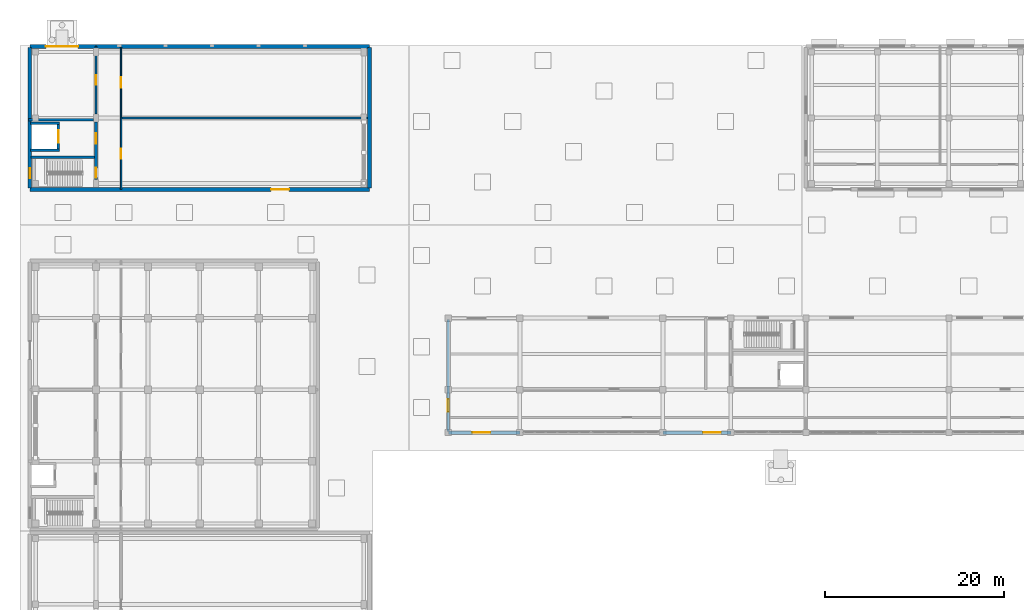
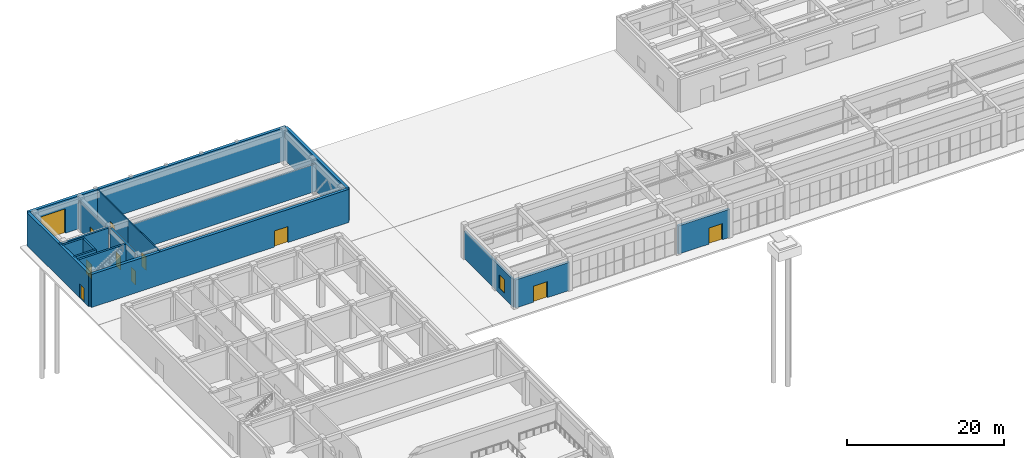
# One storey, part 30 of 46: 17 walls, 11 doors, 1 window, 12 openings.
"""IFC4 building model written with IfcOpenShell, lengths in metres."""

from ifc_helpers import new_model, si_unit, direction, frame, frame_2d, origin, place, context, subcontext, project, spatial, rectangle, extrude, material, layer, layer_set, type_object, element, fill, save


model = new_model("IFC4")

# Units and contexts
model_context = context("Model", 3, precision=1e-05, world=origin(), true_north=direction((0.0, 1.0)))
body_context = subcontext(model_context, "Body", "Model", "MODEL_VIEW")
ifc_project = project(units=[si_unit("LENGTHUNIT", "METRE"), si_unit("AREAUNIT", "SQUARE_METRE"), si_unit("VOLUMEUNIT", "CUBIC_METRE"), si_unit("PLANEANGLEUNIT", "RADIAN"), si_unit("MASSUNIT", "GRAM", prefix="KILO")], contexts=[model_context])

# Site, building, storey
site_placement = place(None, origin())
site = spatial("IfcSite", under=ifc_project, at=site_placement, CompositionType="ELEMENT")
building_placement = place(site_placement, origin())
building = spatial("IfcBuilding", under=site, at=building_placement, Name="Cinchona Park Media Centre", CompositionType="ELEMENT")
storey_placement = place(building_placement, origin())
storey = spatial("IfcBuildingStorey", under=building, at=storey_placement, Name="L00", CompositionType="ELEMENT", Elevation=0.0)

# Wall, opening, door
ifc_material_1 = material(Name="Precast concrete C40/50", Category="concrete")
ifc_layer_1 = layer(ifc_material_1, 0.425048828125)
ifc_layer_set_1 = layer_set([ifc_layer_1], Name="Precast concrete C40/50")
wall_type_1 = type_object("IfcWallType", Name="WALL-W-AC01", PredefinedType="SOLIDWALL", material=ifc_layer_set_1)
wall_1_placement = place(storey_placement, frame((8.0, 118.0, 0.0), z_axis=(0.0, 0.0, 1.0), x_axis=(1.0, 0.0, 0.0)))
wall_1 = element("IfcWall", 1, at=wall_1_placement, inside=storey, type_object=wall_type_1, Name="Exterior Wall W-AC01 V2 L00", PredefinedType="SOLIDWALL", context=body_context, shape_type="SweptSolid", body=[
    extrude(rectangle(XDim=38.0, YDim=0.425048828125, at=frame_2d((19.0, 0.0))), origin(), (0.0, 0.0, 1.0), 5.14990234375),
])
opening_1_placement = place(wall_1_placement, frame((1.800048828125, 0.0, 0.0)))
opening_1 = element("IfcOpeningElement", 2, at=opening_1_placement, cuts=wall_1, Name="Opening D022", PredefinedType="OPENING", context=body_context, shape_type="SweptSolid", body=[
    extrude(rectangle(XDim=3.60009765625, YDim=3.800048828125, at=frame_2d((1.800048828125, 1.89990234375))), frame((0.0, 0.222412109375, 0.0), z_axis=(0.0, -1.0, 0.0), x_axis=(1.0, 0.0, 0.0)), (0.0, 0.0, 1.0), 0.445068359375),
])
ifc_material_2 = material(Name="Insulated Acoustic Steel Roller Shutter Gate", Category="steel")
door_type_1 = type_object("IfcDoorType", Name="DOOR-DT-VG1", OperationType="NOTDEFINED", PredefinedType="GATE", material=ifc_material_2)
door_1_placement = place(opening_1_placement, origin())
door_1 = element("IfcDoor", 3, at=door_1_placement, inside=storey, type_object=door_type_1, Name="Exterior Door D022", OperationType="ROLLINGUP", OverallHeight=3.800048828125, OverallWidth=3.60009765625, PredefinedType="GATE", context=body_context, shape_type="SweptSolid", body=[
    extrude(rectangle(XDim=3.60009765625, YDim=3.800048828125, at=frame_2d((1.800048828125, 1.89990234375))), frame((0.0, 0.02490234375, 0.0), z_axis=(0.0, -1.0, 0.0), x_axis=(1.0, 0.0, 0.0)), (0.0, 0.0, 1.0), 0.050048828125),
])
fill(opening_1, door_1)

# Wall
wall_2_placement = place(storey_placement, frame((46.0, 117.860107421875, 0.0), z_axis=(0.0, 0.0, 1.0), x_axis=(0.0, -1.0, 0.0)))
element("IfcWall", 4, at=wall_2_placement, inside=storey, type_object=wall_type_1, Name="Exterior Wall W-AC01 V2 L00", PredefinedType="SOLIDWALL", context=body_context, shape_type="SweptSolid", body=[
    extrude(rectangle(XDim=15.72021484375, YDim=0.425048828125, at=frame_2d((7.860107421875, 0.0))), origin(), (0.0, 0.0, 1.0), 5.14990234375),
])

# Wall, opening, door
wall_3_placement = place(storey_placement, frame((46.0, 102.0, 0.0), z_axis=(0.0, 0.0, 1.0), x_axis=(-1.0, 0.0, 0.0)))
wall_3 = element("IfcWall", 5, at=wall_3_placement, inside=storey, type_object=wall_type_1, Name="Exterior Wall W-AC01 V2 L00", PredefinedType="SOLIDWALL", context=body_context, shape_type="SweptSolid", body=[
    extrude(rectangle(XDim=38.0, YDim=0.425048828125, at=frame_2d((19.0, 0.0))), origin(), (0.0, 0.0, 1.0), 5.14990234375),
])
opening_2_placement = place(wall_3_placement, frame((9.0, 0.0, 0.0)))
opening_2 = element("IfcOpeningElement", 6, at=opening_2_placement, cuts=wall_3, Name="Opening D021", PredefinedType="OPENING", context=body_context, shape_type="SweptSolid", body=[
    extrude(rectangle(XDim=2.0, YDim=2.5, at=frame_2d((1.0, 1.25))), frame((0.0, 0.222412109375, 0.0), z_axis=(0.0, -1.0, 0.0), x_axis=(1.0, 0.0, 0.0)), (0.0, 0.0, 1.0), 0.445068359375),
])
ifc_material_3 = material(Name="Insulated Steel and Laminated Glass Door", Category="steel")
door_type_2 = type_object("IfcDoorType", Name="DOOR-DT-EX2", OperationType="NOTDEFINED", PredefinedType="DOOR", material=ifc_material_3)
door_2_placement = place(opening_2_placement, origin())
door_2 = element("IfcDoor", 7, at=door_2_placement, inside=storey, type_object=door_type_2, Name="Exterior Door D021", OperationType="DOUBLE_SWING_LEFT", OverallHeight=2.5, OverallWidth=2.0, PredefinedType="DOOR", context=body_context, shape_type="SweptSolid", body=[
    extrude(rectangle(XDim=2.0, YDim=2.5, at=frame_2d((1.0, 1.25))), frame((0.0, 0.02490234375, 0.0), z_axis=(0.0, -1.0, 0.0), x_axis=(1.0, 0.0, 0.0)), (0.0, 0.0, 1.0), 0.050048828125),
])
fill(opening_2, door_2)

wall_4_placement = place(storey_placement, frame((8.0, 102.139892578125, 0.0), z_axis=(0.0, 0.0, 1.0), x_axis=(0.0, 1.0, 0.0)))
wall_4 = element("IfcWall", 8, at=wall_4_placement, inside=storey, type_object=wall_type_1, Name="Exterior Wall W-AC01 V2 L00", PredefinedType="SOLIDWALL", context=body_context, shape_type="SweptSolid", body=[
    extrude(rectangle(XDim=15.72021484375, YDim=0.425048828125, at=frame_2d((7.860107421875, 0.0))), origin(), (0.0, 0.0, 1.0), 5.14990234375),
])
opening_3_placement = place(wall_4_placement, frame((1.10009765625, 0.0, 0.0)))
opening_3 = element("IfcOpeningElement", 9, at=opening_3_placement, cuts=wall_4, Name="Opening D004", PredefinedType="OPENING", context=body_context, shape_type="SweptSolid", body=[
    extrude(rectangle(XDim=1.14990234375, YDim=2.199951171875, at=frame_2d((0.574951171875, 1.10009765625))), frame((0.0, 0.222412109375, 0.0), z_axis=(0.0, -1.0, 0.0), x_axis=(1.0, 0.0, 0.0)), (0.0, 0.0, 1.0), 0.445068359375),
])
ifc_material_4 = material(Name="Insulated Steel and Laminated Glass Door", Category="steel")
door_type_3 = type_object("IfcDoorType", Name="DOOR-DT-EX3", OperationType="NOTDEFINED", PredefinedType="DOOR", material=ifc_material_4)
door_3_placement = place(opening_3_placement, origin())
door_3 = element("IfcDoor", 10, at=door_3_placement, inside=storey, type_object=door_type_3, Name="Exterior Door D004", OperationType="SINGLE_SWING_RIGHT", OverallHeight=2.199951171875, OverallWidth=1.14990234375, PredefinedType="DOOR", context=body_context, shape_type="SweptSolid", body=[
    extrude(rectangle(XDim=1.14990234375, YDim=2.199951171875, at=frame_2d((0.574951171875, 1.10009765625))), frame((0.0, 0.02490234375, 0.0), z_axis=(0.0, -1.0, 0.0), x_axis=(1.0, 0.0, 0.0)), (0.0, 0.0, 1.0), 0.050048828125),
])
fill(opening_3, door_3)

# Walls
ifc_material_5 = material(Name="Acoustic Double-Stud Gypsum Partition", Category="gypsum")
ifc_layer_2 = layer(ifc_material_5, 0.239990234375)
ifc_layer_set_2 = layer_set([ifc_layer_2], Name="Acoustic Double-Stud Gypsum Partition")
wall_type_2 = type_object("IfcWallType", Name="WALL-W-AC240", PredefinedType="PARTITIONING", material=ifc_layer_set_2)
wall_5_placement = place(storey_placement, frame((18.199951171875, 110.0, 0.0), z_axis=(0.0, 0.0, 1.0), x_axis=(1.0, 0.0, 0.0)))
element("IfcWall", 11, at=wall_5_placement, inside=storey, type_object=wall_type_2, Name="Interior Wall W-AC240 L00", PredefinedType="PARTITIONING", context=body_context, shape_type="SweptSolid", body=[
    extrude(rectangle(XDim=27.800048828125, YDim=0.239990234375, at=frame_2d((13.89990234375, 0.0))), origin(), (0.0, 0.0, 1.0), 4.300048828125),
])
ifc_material_6 = material(Name="Concrete C40/50", Category="concrete")
ifc_layer_3 = layer(ifc_material_6, 0.300048828125)
ifc_layer_set_3 = layer_set([ifc_layer_3], Name="Concrete C40/50")
wall_type_3 = type_object("IfcWallType", Name="WALL-W-CR300", PredefinedType="SHEAR", material=ifc_layer_set_3)
wall_6_placement = place(storey_placement, frame((7.85009765625, 109.800048828125, 0.0), z_axis=(0.0, 0.0, 1.0), x_axis=(1.0, 0.0, 0.0)))
element("IfcWall", 12, at=wall_6_placement, inside=storey, type_object=wall_type_3, Name="Core Shear Wall W-CR300 L00", PredefinedType="SHEAR", context=body_context, shape_type="SweptSolid", body=[
    extrude(rectangle(XDim=7.247802734375, YDim=0.300048828125, at=frame_2d((3.6240234375, 0.0))), origin(), (0.0, 0.0, 1.0), 5.14990234375),
])

# Wall, openings, doors
wall_7_placement = place(storey_placement, frame((15.39990234375, 103.092041015625, 0.0), z_axis=(0.0, 0.0, 1.0), x_axis=(0.0, 1.0, 0.0)))
wall_7 = element("IfcWall", 13, at=wall_7_placement, inside=storey, type_object=wall_type_3, Name="Core Shear Wall W-CR300 L00", PredefinedType="SHEAR", context=body_context, shape_type="SweptSolid", body=[
    extrude(rectangle(XDim=6.4560546875, YDim=0.300048828125, at=frame_2d((3.22802734375, 0.0))), origin(), (0.0, 0.0, 1.0), 5.14990234375),
])
opening_4_placement = place(wall_7_placement, frame((0.219970703125, 0.0, 0.0)))
opening_4 = element("IfcOpeningElement", 14, at=opening_4_placement, cuts=wall_7, Name="Opening D050", PredefinedType="OPENING", context=body_context, shape_type="SweptSolid", body=[
    extrude(rectangle(XDim=1.10009765625, YDim=2.14990234375, at=frame_2d((0.550048828125, 1.074951171875))), frame((0.0, 0.159912109375, 0.0), z_axis=(0.0, -1.0, 0.0), x_axis=(1.0, 0.0, 0.0)), (0.0, 0.0, 1.0), 0.320068359375),
])
opening_5_placement = place(wall_7_placement, frame((4.032958984375, 0.0, 0.0)))
opening_5 = element("IfcOpeningElement", 15, at=opening_5_placement, cuts=wall_7, Name="Opening D051", PredefinedType="OPENING", context=body_context, shape_type="SweptSolid", body=[
    extrude(rectangle(XDim=1.14990234375, YDim=2.199951171875, at=frame_2d((0.574951171875, 1.10009765625))), frame((0.0, 0.159912109375, 0.0), z_axis=(0.0, -1.0, 0.0), x_axis=(1.0, 0.0, 0.0)), (0.0, 0.0, 1.0), 0.320068359375),
])
ifc_material_7 = material(Name="Insulated Fire-Rated Steel Door", Category="steel")
door_type_4 = type_object("IfcDoorType", Name="DOOR-DT-FF", OperationType="NOTDEFINED", PredefinedType="DOOR", material=ifc_material_7)
door_4_placement = place(opening_5_placement, origin())
door_4 = element("IfcDoor", 16, at=door_4_placement, inside=storey, type_object=door_type_4, Name="Interior Door D051", OperationType="SINGLE_SWING_LEFT", OverallHeight=2.199951171875, OverallWidth=1.14990234375, PredefinedType="DOOR", context=body_context, shape_type="SweptSolid", body=[
    extrude(rectangle(XDim=1.14990234375, YDim=2.199951171875, at=frame_2d((0.574951171875, 1.10009765625))), frame((0.0, 0.02490234375, 0.0), z_axis=(0.0, -1.0, 0.0), x_axis=(1.0, 0.0, 0.0)), (0.0, 0.0, 1.0), 0.050048828125),
])
fill(opening_5, door_4)
ifc_material_8 = material(Name="Insulated Fire-Rated Steel Door", Category="steel")
door_type_5 = type_object("IfcDoorType", Name="DOOR-DT-ST", OperationType="NOTDEFINED", PredefinedType="DOOR", material=ifc_material_8)
door_5_placement = place(opening_4_placement, origin())
door_5 = element("IfcDoor", 17, at=door_5_placement, inside=storey, type_object=door_type_5, Name="Interior Door D050", OperationType="SINGLE_SWING_RIGHT", OverallHeight=2.14990234375, OverallWidth=1.10009765625, PredefinedType="DOOR", context=body_context, shape_type="SweptSolid", body=[
    extrude(rectangle(XDim=1.10009765625, YDim=2.14990234375, at=frame_2d((0.550048828125, 1.074951171875))), frame((0.0, 0.02490234375, 0.0), z_axis=(0.0, -1.0, 0.0), x_axis=(1.0, 0.0, 0.0)), (0.0, 0.0, 1.0), 0.050048828125),
])
fill(opening_4, door_5)

# Wall
wall_8_placement = place(storey_placement, frame((8.14990234375, 105.60009765625, 0.0), z_axis=(0.0, 0.0, 1.0), x_axis=(1.0, 0.0, 0.0)))
element("IfcWall", 18, at=wall_8_placement, inside=storey, type_object=wall_type_3, Name="Core Shear Wall W-CR300 L00", PredefinedType="SHEAR", context=body_context, shape_type="SweptSolid", body=[
    extrude(rectangle(XDim=7.10009765625, YDim=0.300048828125, at=frame_2d((3.550048828125, 0.0))), origin(), (0.0, 0.0, 1.0), 5.14990234375),
])

# Wall, opening, door
ifc_material_9 = material(Name="Precast concrete C40/50", Category="concrete")
ifc_layer_4 = layer(ifc_material_9, 0.3798828125)
ifc_layer_set_4 = layer_set([ifc_layer_4], Name="Precast concrete C40/50")
wall_type_4 = type_object("IfcWallType", Name="WALL-W-EX01", PredefinedType="SOLIDWALL", material=ifc_layer_set_4)
wall_9_placement = place(storey_placement, frame((62.800048828125, 74.800048828125, 0.0), z_axis=(0.0, 0.0, 1.0), x_axis=(-1.0, 0.0, 0.0)))
wall_9 = element("IfcWall", 19, at=wall_9_placement, inside=storey, type_object=wall_type_4, Name="Entrance Frame Wall W-EX01 V5 L00", PredefinedType="SOLIDWALL", context=body_context, shape_type="SweptSolid", body=[
    extrude(rectangle(XDim=8.0, YDim=0.3798828125, at=frame_2d((4.0, 0.0))), origin(), (0.0, 0.0, 1.0), 4.389892578125),
])
opening_6_placement = place(wall_9_placement, frame((3.300048828125, 0.0, 0.0)))
opening_6 = element("IfcOpeningElement", 20, at=opening_6_placement, cuts=wall_9, Name="Opening D013", PredefinedType="OPENING", context=body_context, shape_type="SweptSolid", body=[
    extrude(rectangle(XDim=2.0, YDim=2.5, at=frame_2d((1.0, 1.25))), frame((0.0, 0.199951171875, 0.0), z_axis=(0.0, -1.0, 0.0), x_axis=(1.0, 0.0, 0.0)), (0.0, 0.0, 1.0), 0.39990234375),
])
door_6_placement = place(opening_6_placement, origin())
door_6 = element("IfcDoor", 21, at=door_6_placement, inside=storey, type_object=door_type_2, Name="Exterior Door D013", OperationType="DOUBLE_SWING_LEFT", OverallHeight=2.5, OverallWidth=2.0, PredefinedType="DOOR", context=body_context, shape_type="SweptSolid", body=[
    extrude(rectangle(XDim=2.0, YDim=2.5, at=frame_2d((1.0, 1.25))), frame((0.0, 0.02490234375, 0.0), z_axis=(0.0, -1.0, 0.0), x_axis=(1.0, 0.0, 0.0)), (0.0, 0.0, 1.0), 0.050048828125),
])
fill(opening_6, door_6)

wall_10_placement = place(storey_placement, frame((86.39990234375, 74.800048828125, 0.0), z_axis=(0.0, 0.0, 1.0), x_axis=(-1.0, 0.0, 0.0)))
wall_10 = element("IfcWall", 22, at=wall_10_placement, inside=storey, type_object=wall_type_4, Name="Entrance Frame Wall W-EX01 V5 L00", PredefinedType="SOLIDWALL", context=body_context, shape_type="SweptSolid", body=[
    extrude(rectangle(XDim=7.599853515625, YDim=0.3798828125, at=frame_2d((3.7998046875, 0.0))), origin(), (0.0, 0.0, 1.0), 4.389892578125),
])
opening_7_placement = place(wall_10_placement, frame((1.10009765625, 0.0, 0.0)))
opening_7 = element("IfcOpeningElement", 23, at=opening_7_placement, cuts=wall_10, Name="Opening D014", PredefinedType="OPENING", context=body_context, shape_type="SweptSolid", body=[
    extrude(rectangle(XDim=2.0, YDim=2.5, at=frame_2d((1.0, 1.25))), frame((0.0, 0.199951171875, 0.0), z_axis=(0.0, -1.0, 0.0), x_axis=(1.0, 0.0, 0.0)), (0.0, 0.0, 1.0), 0.39990234375),
])
door_7_placement = place(opening_7_placement, origin())
door_7 = element("IfcDoor", 24, at=door_7_placement, inside=storey, type_object=door_type_2, Name="Exterior Door D014", OperationType="DOUBLE_SWING_LEFT", OverallHeight=2.5, OverallWidth=2.0, PredefinedType="DOOR", context=body_context, shape_type="SweptSolid", body=[
    extrude(rectangle(XDim=2.0, YDim=2.5, at=frame_2d((1.0, 1.25))), frame((0.0, 0.02490234375, 0.0), z_axis=(0.0, -1.0, 0.0), x_axis=(1.0, 0.0, 0.0)), (0.0, 0.0, 1.0), 0.050048828125),
])
fill(opening_7, door_7)

# Wall, opening, window
ifc_material_10 = material(Name="Precast concrete C40/50", Category="concrete")
ifc_layer_5 = layer(ifc_material_10, 0.25)
ifc_layer_set_5 = layer_set([ifc_layer_5], Name="Precast concrete C40/50")
wall_type_5 = type_object("IfcWallType", Name="WALL-W-EX04", PredefinedType="SOLIDWALL", material=ifc_layer_set_5)
wall_11_placement = place(storey_placement, frame((54.800048828125, 74.93994140625, 0.0), z_axis=(0.0, 0.0, 1.0), x_axis=(0.0, 1.0, 0.0)))
wall_11 = element("IfcWall", 25, at=wall_11_placement, inside=storey, type_object=wall_type_5, Name="Exterior Wall W-EX04 V5 L00", PredefinedType="SOLIDWALL", context=body_context, shape_type="SweptSolid", body=[
    extrude(rectangle(XDim=12.52001953125, YDim=0.25, at=frame_2d((6.260009765625, 0.0))), origin(), (0.0, 0.0, 1.0), 4.2900390625),
])
opening_8_placement = place(wall_11_placement, frame((2.199951171875, 0.0, 0.800048828125)))
opening_8 = element("IfcOpeningElement", 26, at=opening_8_placement, cuts=wall_11, Name="Opening WN01", PredefinedType="OPENING", context=body_context, shape_type="SweptSolid", body=[
    extrude(rectangle(XDim=1.39990234375, YDim=2.10009765625, at=frame_2d((0.699951171875, 1.050048828125))), frame((0.0, 0.135009765625, 0.0), z_axis=(0.0, -1.0, 0.0), x_axis=(1.0, 0.0, 0.0)), (0.0, 0.0, 1.0), 0.27001953125),
])
ifc_material_11 = material(Name="Thermally Broken Aluminium Solar-Control Window", Category="aluminium")
window_type = type_object("IfcWindowType", Name="WIN-WN01", PartitioningType="SINGLE_PANEL", PredefinedType="WINDOW", material=ifc_material_11)
window_placement = place(opening_8_placement, origin())
window = element("IfcWindow", 27, at=window_placement, inside=storey, type_object=window_type, Name="Window WN01 L00", OverallHeight=2.10009765625, OverallWidth=1.39990234375, PartitioningType="SINGLE_PANEL", PredefinedType="WINDOW", context=body_context, shape_type="SweptSolid", body=[
    extrude(rectangle(XDim=1.39990234375, YDim=2.10009765625, at=frame_2d((0.699951171875, 1.050048828125))), frame((0.0, 0.030029296875, 0.0), z_axis=(0.0, -1.0, 0.0), x_axis=(1.0, 0.0, 0.0)), (0.0, 0.0, 1.0), 0.06005859375),
])
fill(opening_8, window)

# Wall, opening, door
ifc_material_12 = material(Name="Fire-Rated Gypsum Stud Partition", Category="gypsum")
ifc_layer_6 = layer(ifc_material_12, 0.14990234375)
ifc_layer_set_6 = layer_set([ifc_layer_6], Name="Fire-Rated Gypsum Stud Partition")
wall_type_6 = type_object("IfcWallType", Name="WALL-W-PT150", PredefinedType="PARTITIONING", material=ifc_layer_set_6)
wall_12_placement = place(storey_placement, frame((18.199951171875, 117.903076171875, 0.0), z_axis=(0.0, 0.0, 1.0), x_axis=(0.0, -1.0, 0.0)))
wall_12 = element("IfcWall", 28, at=wall_12_placement, inside=storey, type_object=wall_type_6, Name="Interior Wall W-PT150 L00", PredefinedType="PARTITIONING", context=body_context, shape_type="SweptSolid", body=[
    extrude(rectangle(XDim=7.903076171875, YDim=0.14990234375, at=frame_2d((3.95166015625, 0.0))), origin(), (0.0, 0.0, 1.0), 5.14990234375),
])
opening_9_placement = place(wall_12_placement, frame((3.362060546875, 0.0, 0.0)))
opening_9 = element("IfcOpeningElement", 29, at=opening_9_placement, cuts=wall_12, Name="Opening D196", PredefinedType="OPENING", context=body_context, shape_type="SweptSolid", body=[
    extrude(rectangle(XDim=1.179931640625, YDim=2.14990234375, at=frame_2d((0.58984375, 1.074951171875))), frame((0.0, 0.0849609375, 0.0), z_axis=(0.0, -1.0, 0.0), x_axis=(1.0, 0.0, 0.0)), (0.0, 0.0, 1.0), 0.169921875),
])
ifc_material_13 = material(Name="Fire-Rated Acoustic Timber-Steel Door", Category="steel")
door_type_6 = type_object("IfcDoorType", Name="DOOR-DT09", OperationType="NOTDEFINED", PredefinedType="DOOR", material=ifc_material_13)
door_8_placement = place(opening_9_placement, origin())
door_8 = element("IfcDoor", 30, at=door_8_placement, inside=storey, type_object=door_type_6, Name="Interior Door D196", OperationType="SINGLE_SWING_RIGHT", OverallHeight=2.14990234375, OverallWidth=1.179931640625, PredefinedType="DOOR", context=body_context, shape_type="SweptSolid", body=[
    extrude(rectangle(XDim=1.179931640625, YDim=2.14990234375, at=frame_2d((0.58984375, 1.074951171875))), frame((0.0, 0.02490234375, 0.0), z_axis=(0.0, -1.0, 0.0), x_axis=(1.0, 0.0, 0.0)), (0.0, 0.0, 1.0), 0.050048828125),
])
fill(opening_9, door_8)

ifc_material_14 = material(Name="Fire-Rated Gypsum Stud Partition", Category="gypsum")
ifc_layer_7 = layer(ifc_material_14, 0.1650390625)
ifc_layer_set_7 = layer_set([ifc_layer_7], Name="Fire-Rated Gypsum Stud Partition")
wall_type_7 = type_object("IfcWallType", Name="WALL-W-PT165", PredefinedType="PARTITIONING", material=ifc_layer_set_7)
wall_13_placement = place(storey_placement, frame((18.199951171875, 110.0, 0.0), z_axis=(0.0, 0.0, 1.0), x_axis=(0.0, -1.0, 0.0)))
wall_13 = element("IfcWall", 31, at=wall_13_placement, inside=storey, type_object=wall_type_7, Name="Interior Wall W-PT165 L00", PredefinedType="PARTITIONING", context=body_context, shape_type="SweptSolid", body=[
    extrude(rectangle(XDim=8.0, YDim=0.1650390625, at=frame_2d((4.0, 0.0))), origin(), (0.0, 0.0, 1.0), 5.14990234375),
])
opening_10_placement = place(wall_13_placement, frame((3.43994140625, 0.0, 0.0)))
opening_10 = element("IfcOpeningElement", 32, at=opening_10_placement, cuts=wall_13, Name="Opening D195", PredefinedType="OPENING", context=body_context, shape_type="SweptSolid", body=[
    extrude(rectangle(XDim=1.1201171875, YDim=2.14990234375, at=frame_2d((0.56005859375, 1.074951171875))), frame((0.0, 0.092529296875, 0.0), z_axis=(0.0, -1.0, 0.0), x_axis=(1.0, 0.0, 0.0)), (0.0, 0.0, 1.0), 0.18505859375),
])
ifc_material_15 = material(Name="Fire-Rated Acoustic Timber-Steel Door", Category="steel")
door_type_7 = type_object("IfcDoorType", Name="DOOR-DT08", OperationType="NOTDEFINED", PredefinedType="DOOR", material=ifc_material_15)
door_9_placement = place(opening_10_placement, origin())
door_9 = element("IfcDoor", 33, at=door_9_placement, inside=storey, type_object=door_type_7, Name="Interior Door D195", OperationType="SINGLE_SWING_LEFT", OverallHeight=2.14990234375, OverallWidth=1.1201171875, PredefinedType="DOOR", context=body_context, shape_type="SweptSolid", body=[
    extrude(rectangle(XDim=1.1201171875, YDim=2.14990234375, at=frame_2d((0.56005859375, 1.074951171875))), frame((0.0, 0.02490234375, 0.0), z_axis=(0.0, -1.0, 0.0), x_axis=(1.0, 0.0, 0.0)), (0.0, 0.0, 1.0), 0.050048828125),
])
fill(opening_10, door_9)

ifc_material_16 = material(Name="Fire-Rated Gypsum Stud Partition", Category="gypsum")
ifc_layer_8 = layer(ifc_material_16, 0.18994140625)
ifc_layer_set_8 = layer_set([ifc_layer_8], Name="Fire-Rated Gypsum Stud Partition")
wall_type_8 = type_object("IfcWallType", Name="WALL-W-PT190", PredefinedType="PARTITIONING", material=ifc_layer_set_8)
wall_14_placement = place(storey_placement, frame((15.39990234375, 110.451904296875, 0.0), z_axis=(0.0, 0.0, 1.0), x_axis=(0.0, 1.0, 0.0)))
wall_14 = element("IfcWall", 34, at=wall_14_placement, inside=storey, type_object=wall_type_8, Name="Interior Wall W-PT190 L00", PredefinedType="PARTITIONING", context=body_context, shape_type="SweptSolid", body=[
    extrude(rectangle(XDim=7.548095703125, YDim=0.18994140625, at=frame_2d((3.77392578125, 0.0))), origin(), (0.0, 0.0, 1.0), 4.39990234375),
])
opening_11_placement = place(wall_14_placement, frame((3.23388671875, 0.0, 0.0)))
opening_11 = element("IfcOpeningElement", 35, at=opening_11_placement, cuts=wall_14, Name="Opening D194", PredefinedType="OPENING", context=body_context, shape_type="SweptSolid", body=[
    extrude(rectangle(XDim=1.080078125, YDim=2.14990234375, at=frame_2d((0.5400390625, 1.074951171875))), frame((0.0, 0.10498046875, 0.0), z_axis=(0.0, -1.0, 0.0), x_axis=(1.0, 0.0, 0.0)), (0.0, 0.0, 1.0), 0.2099609375),
])
ifc_material_17 = material(Name="Fire-Rated Acoustic Timber-Steel Door", Category="steel")
door_type_8 = type_object("IfcDoorType", Name="DOOR-DT07", OperationType="NOTDEFINED", PredefinedType="DOOR", material=ifc_material_17)
door_10_placement = place(opening_11_placement, origin())
door_10 = element("IfcDoor", 36, at=door_10_placement, inside=storey, type_object=door_type_8, Name="Interior Door D194", OperationType="SINGLE_SWING_RIGHT", OverallHeight=2.14990234375, OverallWidth=1.080078125, PredefinedType="DOOR", context=body_context, shape_type="SweptSolid", body=[
    extrude(rectangle(XDim=1.080078125, YDim=2.14990234375, at=frame_2d((0.5400390625, 1.074951171875))), frame((0.0, 0.02490234375, 0.0), z_axis=(0.0, -1.0, 0.0), x_axis=(1.0, 0.0, 0.0)), (0.0, 0.0, 1.0), 0.050048828125),
])
fill(opening_11, door_10)

# Walls
ifc_material_18 = material(Name="Concrete C40/50", Category="concrete")
ifc_layer_9 = layer(ifc_material_18, 0.2900390625)
ifc_layer_set_9 = layer_set([ifc_layer_9], Name="Concrete C40/50")
wall_type_9 = type_object("IfcWallType", Name="WALL-W-SH290", PredefinedType="SHEAR", material=ifc_layer_set_9)
for number, where, z_axis, x_axis, name in (
    (37, (8.054931640625, 106.39990234375, 0.0), (0.0, 0.0, 1.0), (1.0, 0.0, 0.0), "Core Shear Wall W-SH290 L00"),
    (38, (8.054931640625, 109.39990234375, 0.0), (0.0, 0.0, 1.0), (1.0, 0.0, 0.0), "Core Shear Wall W-SH290 L00"),
):
    element("IfcWall", number, at=place(storey_placement, frame(where, z_axis=z_axis, x_axis=x_axis)), inside=storey, type_object=wall_type_9, Name=name, PredefinedType="SHEAR", context=body_context, shape_type="SweptSolid", body=[
        extrude(rectangle(XDim=3.2900390625, YDim=0.2900390625, at=frame_2d((1.64501953125, 0.0))), origin(), (0.0, 0.0, 1.0), 5.14990234375),
    ])

# Wall, opening, door
wall_15_placement = place(storey_placement, frame((11.199951171875, 106.544921875, 0.0), z_axis=(0.0, 0.0, 1.0), x_axis=(0.0, 1.0, 0.0)))
wall_15 = element("IfcWall", 39, at=wall_15_placement, inside=storey, type_object=wall_type_9, Name="Core Shear Wall W-SH290 L00", PredefinedType="SHEAR", context=body_context, shape_type="SweptSolid", body=[
    extrude(rectangle(XDim=2.7099609375, YDim=0.2900390625, at=frame_2d((1.35498046875, 0.0))), origin(), (0.0, 0.0, 1.0), 5.14990234375),
])
opening_12_placement = place(wall_15_placement, frame((0.655029296875, 0.0, 0.0)))
opening_12 = element("IfcOpeningElement", 40, at=opening_12_placement, cuts=wall_15, Name="Opening LD11", PredefinedType="OPENING", context=body_context, shape_type="SweptSolid", body=[
    extrude(rectangle(XDim=1.39990234375, YDim=2.25, at=frame_2d((0.699951171875, 1.125))), frame((0.0, 0.155029296875, 0.0), z_axis=(0.0, -1.0, 0.0), x_axis=(1.0, 0.0, 0.0)), (0.0, 0.0, 1.0), 0.31005859375),
])
ifc_material_19 = material(Name="Stainless Steel Sliding Lift Landing Door", Category="steel")
door_type_9 = type_object("IfcDoorType", Name="DOOR-DT-LD3", OperationType="NOTDEFINED", PredefinedType="DOOR", material=ifc_material_19)
door_11_placement = place(opening_12_placement, origin())
door_11 = element("IfcDoor", 41, at=door_11_placement, inside=storey, type_object=door_type_9, Name="Lift Landing Door LD11", OperationType="SLIDING_TO_LEFT", OverallHeight=2.25, OverallWidth=1.39990234375, PredefinedType="DOOR", context=body_context, shape_type="SweptSolid", body=[
    extrude(rectangle(XDim=1.39990234375, YDim=2.25, at=frame_2d((0.699951171875, 1.125))), frame((0.0, 0.02490234375, 0.0), z_axis=(0.0, -1.0, 0.0), x_axis=(1.0, 0.0, 0.0)), (0.0, 0.0, 1.0), 0.050048828125),
])
fill(opening_12, door_11)

save(model, "model.ifc")
